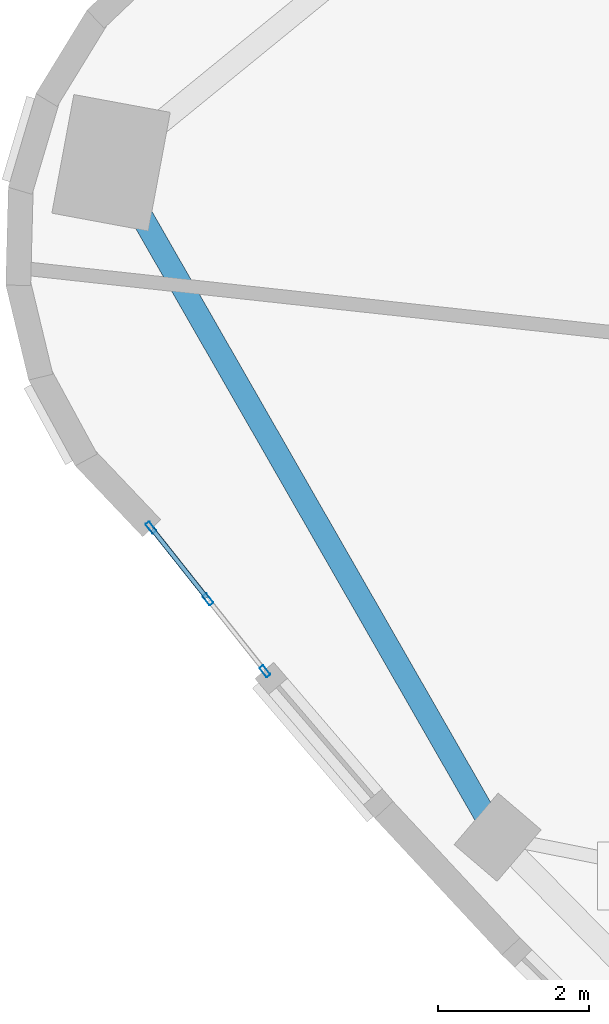
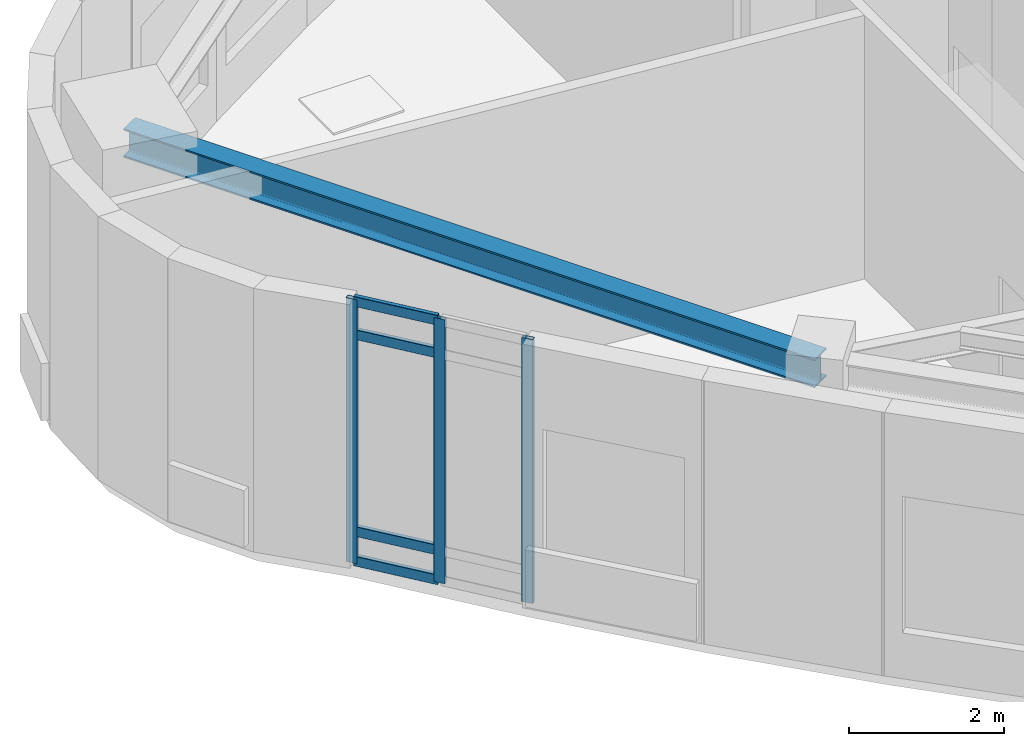
# One storey, part 4 of 14: 7 members, 1 beam, 1 element without a shape of its own.
"""IFC4 building model written with IfcOpenShell, lengths in metres."""

from ifc_helpers import new_model, si_unit, direction, frame, origin, origin_2d, place, context, subcontext, project, spatial, hollow_rectangle, i_section, extrude, material, layer, layer_set, material_profile, profile_set, type_object, element, aggregate, save


model = new_model("IFC4")

# Units and contexts
model_context = context("Model", 3, precision=1e-05, world=origin(), true_north=direction((0.0, 1.0)))
body_context = subcontext(model_context, "Body", "Model", "MODEL_VIEW")
ifc_project = project(units=[si_unit("LENGTHUNIT", "METRE"), si_unit("AREAUNIT", "SQUARE_METRE"), si_unit("VOLUMEUNIT", "CUBIC_METRE"), si_unit("PLANEANGLEUNIT", "RADIAN"), si_unit("MASSUNIT", "GRAM", prefix="KILO")], contexts=[model_context])

# Site, building, storey
site_placement = place(None, origin())
site = spatial("IfcSite", under=ifc_project, at=site_placement, CompositionType="ELEMENT")
building_placement = place(site_placement, origin())
building = spatial("IfcBuilding", under=site, at=building_placement, Name="Ndelora Gate Hotel", CompositionType="ELEMENT")
storey_placement = place(building_placement, frame((0.0, 0.0, 277.199951171875)))
storey = spatial("IfcBuildingStorey", under=building, at=storey_placement, Name="L69", CompositionType="ELEMENT", Elevation=277.199951171875)

# Beam
ifc_material_1 = material(Name="Steel S355", Category="steel")
ifc_material_profile_1 = material_profile(ifc_material_1, i_section(OverallWidth=0.300048828125, OverallDepth=0.449951171875, WebThickness=0.013916015625, FlangeThickness=0.02587890625, FilletRadius=0.027099609375, at=origin_2d()), Name="HEB 450")
ifc_profile_set_1 = profile_set([ifc_material_profile_1], Name="Steel S355")
beam_type = type_object("IfcBeamType", Name="BM-RING-450", PredefinedType="SPANDREL", material=ifc_profile_set_1)
beam_placement = place(storey_placement, frame((-19.949951171875, 3.697509765625, 3.925048828125), z_axis=(0.497255333538, -0.867604249222, 0.0), x_axis=(0.867604249222, 0.497255333538, 0.0)))
element("IfcBeam", 1, at=beam_placement, inside=storey, type_object=beam_type, Name="L69 Perimeter Spandrel Girder 1", PredefinedType="SPANDREL", context=body_context, shape_type="SweptSolid", body=[
    extrude(i_section(OverallWidth=0.300048828125, OverallDepth=0.449951171875, WebThickness=0.013916015625, FlangeThickness=0.02587890625, FilletRadius=0.027099609375, at=origin_2d()), origin(), (0.0, 0.0, 1.0), 10.3115234375),
])

# Curtain wall, members
ifc_material_2 = material(Name="Bronze Anodised Unitised Aluminium and Low-E Glass", Category="aluminium")
ifc_layer = layer(ifc_material_2, 0.219970703125)
ifc_layer_set = layer_set([ifc_layer], Name="Bronze Anodised Unitised Aluminium and Low-E Glass")
curtain_wall_type = type_object("IfcCurtainWallType", Name="CW-SYS-6", PredefinedType="NOTDEFINED", material=ifc_layer_set)
curtain_wall_placement = place(storey_placement, origin())
curtain_wall = element("IfcCurtainWall", 2, at=curtain_wall_placement, inside=storey, type_object=curtain_wall_type, Name="L69 Crown Sky-Restaurant & Cocktail Bar Curtain Wall 1", PredefinedType="NOTDEFINED")
ifc_material_3 = material(Name="Bronze Anodised Aluminium 6063-T6", Category="aluminium")
ifc_material_profile_2 = material_profile(ifc_material_3, hollow_rectangle(XDim=0.06494140625, YDim=0.159912109375, WallThickness=0.00390625, InnerFilletRadius=0.00390625, OuterFilletRadius=0.008056640625, at=origin_2d()), Name="ALU 160x65x4")
ifc_profile_set_2 = profile_set([ifc_material_profile_2], Name="Bronze Anodised Aluminium 6063-T6")
member_type_1 = type_object("IfcMemberType", Name="MB-CW-MUL150", PredefinedType="MULLION", material=ifc_profile_set_2)
member_1_placement = place(storey_placement, frame((-19.420166015625, -1.141357421875, -0.00390625), z_axis=(0.0, 0.0, 1.0), x_axis=(0.783410250406, 0.621504931243, 0.0)))
member_1 = element("IfcMember", 3, at=member_1_placement, type_object=member_type_1, Name="CW6 mullion 1", PredefinedType="MULLION", context=body_context, shape_type="SweptSolid", body=[
    extrude(hollow_rectangle(XDim=0.06494140625, YDim=0.159912109375, WallThickness=0.00390625, InnerFilletRadius=0.00390625, OuterFilletRadius=0.008056640625, at=origin_2d()), origin(), (0.0, 0.0, 1.0), 4.157958984375),
])
member_2_placement = place(storey_placement, frame((-18.66455078125, -2.093994140625, -0.00390625), z_axis=(0.0, 0.0, 1.0), x_axis=(0.783410250406, 0.621504931243, 0.0)))
member_2 = element("IfcMember", 4, at=member_2_placement, type_object=member_type_1, Name="CW6 mullion 2", PredefinedType="MULLION", context=body_context, shape_type="SweptSolid", body=[
    extrude(hollow_rectangle(XDim=0.06494140625, YDim=0.159912109375, WallThickness=0.00390625, InnerFilletRadius=0.00390625, OuterFilletRadius=0.008056640625, at=origin_2d()), origin(), (0.0, 0.0, 1.0), 4.157958984375),
])
member_3_placement = place(storey_placement, frame((-17.908935546875, -3.04638671875, -0.00390625), z_axis=(0.0, 0.0, 1.0), x_axis=(0.783410250406, 0.621504931243, 0.0)))
member_3 = element("IfcMember", 5, at=member_3_placement, type_object=member_type_1, Name="CW6 mullion 3", PredefinedType="MULLION", context=body_context, shape_type="SweptSolid", body=[
    extrude(hollow_rectangle(XDim=0.06494140625, YDim=0.159912109375, WallThickness=0.00390625, InnerFilletRadius=0.00390625, OuterFilletRadius=0.008056640625, at=origin_2d()), origin(), (0.0, 0.0, 1.0), 4.157958984375),
])
ifc_material_profile_3 = material_profile(ifc_material_3, hollow_rectangle(XDim=0.06494140625, YDim=0.159912109375, WallThickness=0.00390625, InnerFilletRadius=0.00390625, OuterFilletRadius=0.008056640625, at=origin_2d()), Name="ALU 160x65x4")
ifc_profile_set_3 = profile_set([ifc_material_profile_3], Name="Bronze Anodised Aluminium 6063-T6")
member_type_2 = type_object("IfcMemberType", Name="MB-CW-TRN150", PredefinedType="USERDEFINED", material=ifc_profile_set_3)
member_4_placement = place(storey_placement, frame((-19.403564453125, -1.162109375, 0.032470703125), z_axis=(0.6214124865, -0.783483580952, 0.0), x_axis=(0.783483580952, 0.6214124865, 0.0)))
member_4 = element("IfcMember", 6, at=member_4_placement, type_object=member_type_2, Name="CW6 transom 1.1", ObjectType="TRANSOM", PredefinedType="USERDEFINED", context=body_context, shape_type="SweptSolid", body=[
    extrude(hollow_rectangle(XDim=0.06494140625, YDim=0.159912109375, WallThickness=0.00390625, InnerFilletRadius=0.00390625, OuterFilletRadius=0.008056640625, at=origin_2d()), origin(), (0.0, 0.0, 1.0), 1.162841796875),
])
member_5_placement = place(storey_placement, frame((-19.403564453125, -1.162109375, 0.5), z_axis=(0.6214124865, -0.783483580952, 0.0), x_axis=(0.783483580952, 0.6214124865, 0.0)))
member_5 = element("IfcMember", 7, at=member_5_placement, type_object=member_type_2, Name="CW6 transom 1.2", ObjectType="TRANSOM", PredefinedType="USERDEFINED", context=body_context, shape_type="SweptSolid", body=[
    extrude(hollow_rectangle(XDim=0.06494140625, YDim=0.159912109375, WallThickness=0.00390625, InnerFilletRadius=0.00390625, OuterFilletRadius=0.008056640625, at=origin_2d()), origin(), (0.0, 0.0, 1.0), 1.162841796875),
])
member_6_placement = place(storey_placement, frame((-19.403564453125, -1.162109375, 3.60009765625), z_axis=(0.6214124865, -0.783483580952, 0.0), x_axis=(0.783483580952, 0.6214124865, 0.0)))
member_6 = element("IfcMember", 8, at=member_6_placement, type_object=member_type_2, Name="CW6 transom 1.3", ObjectType="TRANSOM", PredefinedType="USERDEFINED", context=body_context, shape_type="SweptSolid", body=[
    extrude(hollow_rectangle(XDim=0.06494140625, YDim=0.159912109375, WallThickness=0.00390625, InnerFilletRadius=0.00390625, OuterFilletRadius=0.008056640625, at=origin_2d()), origin(), (0.0, 0.0, 1.0), 1.162841796875),
])
member_7_placement = place(storey_placement, frame((-19.403564453125, -1.162109375, 4.117431640625), z_axis=(0.6214124865, -0.783483580952, 0.0), x_axis=(0.783483580952, 0.6214124865, 0.0)))
member_7 = element("IfcMember", 9, at=member_7_placement, type_object=member_type_2, Name="CW6 transom 1.4", ObjectType="TRANSOM", PredefinedType="USERDEFINED", context=body_context, shape_type="SweptSolid", body=[
    extrude(hollow_rectangle(XDim=0.06494140625, YDim=0.159912109375, WallThickness=0.00390625, InnerFilletRadius=0.00390625, OuterFilletRadius=0.008056640625, at=origin_2d()), origin(), (0.0, 0.0, 1.0), 1.162841796875),
])
aggregate(curtain_wall, [member_1, member_2, member_3, member_4, member_5, member_6, member_7])

save(model, "model.ifc")
